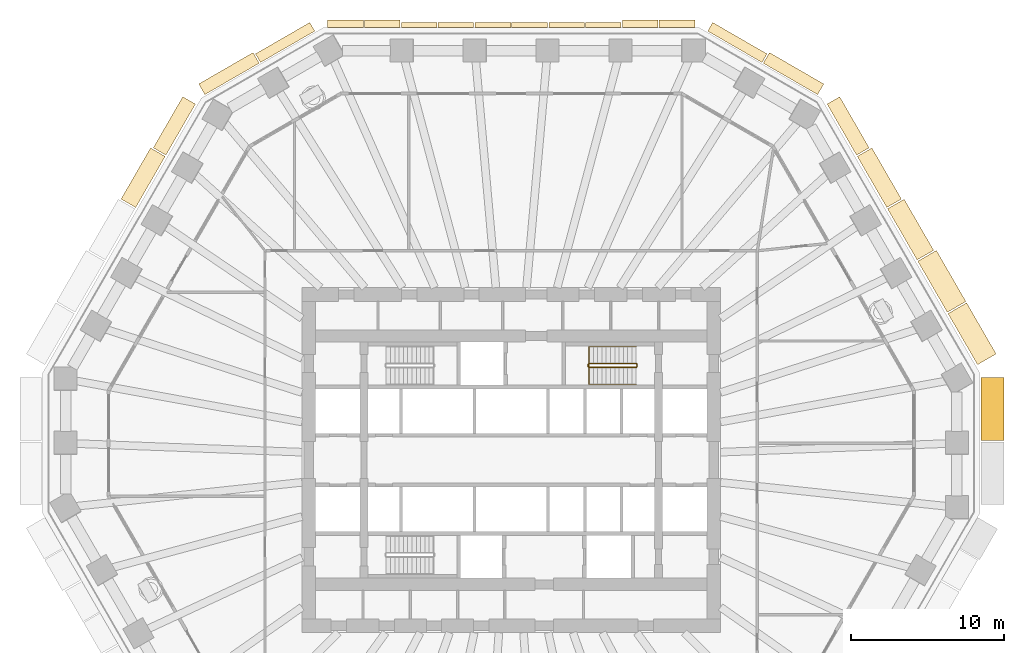
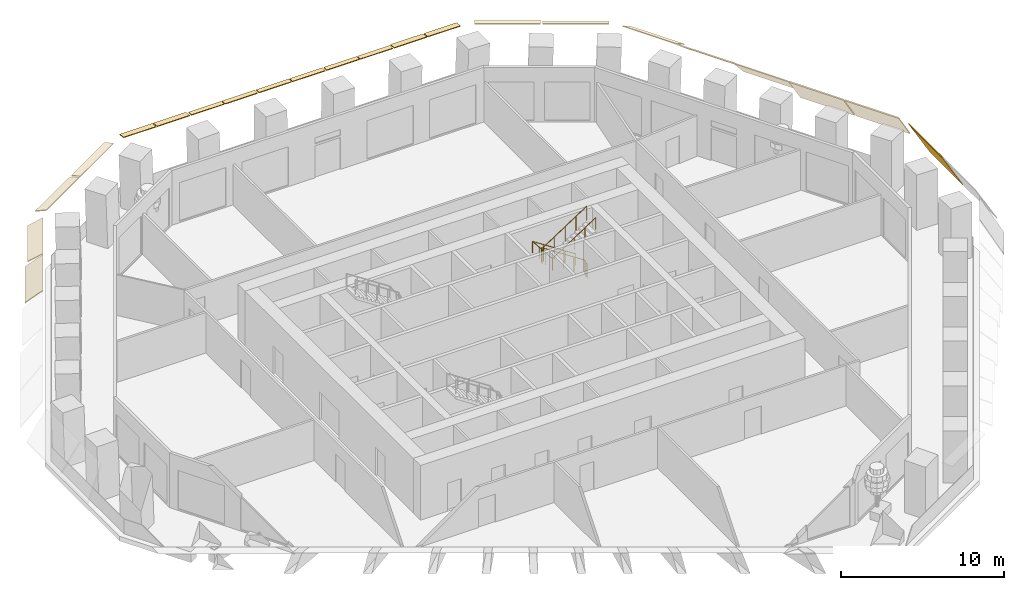
# One storey, part 10 of 12: 22 coverings, 2 railings.
"""IFC4 building model written with IfcOpenShell, lengths in metres."""

from ifc_helpers import new_model, si_unit, direction, frame, origin, origin_2d, place, context, subcontext, project, spatial, polyline, circle, outline, extrude, material, layer, layer_set, type_object, element, save


model = new_model("IFC4")

# Units and contexts
model_context = context("Model", 3, precision=1e-05, world=origin(), true_north=direction((0.0, 1.0)))
body_context = subcontext(model_context, "Body", "Model", "MODEL_VIEW")
ifc_project = project(units=[si_unit("LENGTHUNIT", "METRE"), si_unit("AREAUNIT", "SQUARE_METRE"), si_unit("VOLUMEUNIT", "CUBIC_METRE"), si_unit("PLANEANGLEUNIT", "RADIAN"), si_unit("MASSUNIT", "GRAM", prefix="KILO")], contexts=[model_context])

# Site, building, storey
site_placement = place(None, origin())
site = spatial("IfcSite", under=ifc_project, at=site_placement, CompositionType="ELEMENT")
building_placement = place(site_placement, origin())
building = spatial("IfcBuilding", under=site, at=building_placement, Name="Frailejon Research Tower", CompositionType="ELEMENT")
storey_placement = place(building_placement, frame((0.0, 0.0, 49.800048828125)))
storey = spatial("IfcBuildingStorey", under=building, at=storey_placement, Name="L11", CompositionType="ELEMENT", Elevation=49.800048828125)

# Coverings
ifc_material_1 = material(Name="Precast concrete C50/60", Category="concrete")
ifc_layer_1 = layer(ifc_material_1, 0.06005859375)
ifc_layer_set_1 = layer_set([ifc_layer_1], Name="Brim blade depth 1100")
covering_type_1 = type_object("IfcCoveringType", Name="Brim blade depth 1100", PredefinedType="CLADDING", material=ifc_layer_set_1)
for number, where, z_axis, x_axis, name in (
    (1, (22.566162109375, 19.802978515625, 4.25), (0.500002613071, -0.866023895122, 0.0), (0.866023895122, 0.500002613071, 0.0), "Brim blade L11"),
    (2, (-24.488525390625, 16.4736328125, 4.25), (0.500002613071, 0.866023895122, 0.0), (-0.866023895122, 0.500002613071, 0.0), "Brim blade L11"),
):
    element("IfcCovering", number, at=place(storey_placement, frame(where, z_axis=z_axis, x_axis=x_axis)), inside=storey, type_object=covering_type_1, Name=name, PredefinedType="CLADDING", context=body_context, shape_type="SweptSolid", body=[
        extrude(outline(polyline([(0.0, -0.078369140625), (1.10009765625, -1.001220703125), (1.10009765625, -0.923095703125), (0.0, 0.0), (0.0, -0.078369140625)])), origin(), (0.0, 0.0, 1.0), 3.844482421875),
    ])
ifc_material_2 = material(Name="Precast concrete C50/60", Category="concrete")
ifc_layer_2 = layer(ifc_material_2, 0.06005859375)
ifc_layer_set_2 = layer_set([ifc_layer_2], Name="Brim blade depth 1250")
covering_type_2 = type_object("IfcCoveringType", Name="Brim blade depth 1250", PredefinedType="CLADDING", material=ifc_layer_set_2)
covering_1_placement = place(storey_placement, frame((24.53857421875, 16.386962890625, 4.25), z_axis=(0.500002613071, -0.866023895122, 0.0), x_axis=(0.866023895122, 0.500002613071, 0.0)))
element("IfcCovering", 3, at=covering_1_placement, inside=storey, type_object=covering_type_2, Name="Brim blade L11", PredefinedType="CLADDING", context=body_context, shape_type="SweptSolid", body=[
    extrude(outline(polyline([(0.0, -0.0888671875), (1.25, -1.452880859375), (1.25, -1.364013671875), (0.0, 0.0), (0.0, -0.0888671875)])), origin(), (0.0, 0.0, 1.0), 3.844482421875),
])
ifc_material_3 = material(Name="Precast concrete C50/60", Category="concrete")
ifc_layer_3 = layer(ifc_material_3, 0.06005859375)
ifc_layer_set_3 = layer_set([ifc_layer_3], Name="Brim blade depth 1400")
covering_type_3 = type_object("IfcCoveringType", Name="Brim blade depth 1400", PredefinedType="CLADDING", material=ifc_layer_set_3)
for number, where, z_axis, x_axis, name in (
    (4, (28.48291015625, 9.5546875, 4.25), (0.500002613071, -0.866023895122, 0.0), (0.866023895122, 0.500002613071, 0.0), "Brim blade L11"),
    (5, (26.510986328125, 12.970947265625, 4.25), (0.499983600053, -0.866034872091, 0.0), (0.866034872091, 0.499983600053, 0.0), "Brim blade L11"),
):
    element("IfcCovering", number, at=place(storey_placement, frame(where, z_axis=z_axis, x_axis=x_axis)), inside=storey, type_object=covering_type_3, Name=name, PredefinedType="CLADDING", context=body_context, shape_type="SweptSolid", body=[
        extrude(outline(polyline([(0.0, -0.1044921875), (1.39990234375, -2.10400390625), (1.39990234375, -1.99951171875), (0.0, 0.0), (0.0, -0.1044921875)])), origin(), (0.0, 0.0, 1.0), 3.844482421875),
    ])
ifc_material_4 = material(Name="Precast concrete C50/60", Category="concrete")
ifc_layer_4 = layer(ifc_material_4, 0.06005859375)
ifc_layer_set_4 = layer_set([ifc_layer_4], Name="Brim blade depth 1500")
covering_type_4 = type_object("IfcCoveringType", Name="Brim blade depth 1500", PredefinedType="CLADDING", material=ifc_layer_set_4)
covering_2_placement = place(storey_placement, frame((30.63134765625, 5.382080078125, 4.25), z_axis=(0.0, -1.0, 0.0), x_axis=(1.0, 0.0, 0.0)))
element("IfcCovering", 6, at=covering_2_placement, inside=storey, type_object=covering_type_4, Name="Brim blade L11", PredefinedType="CLADDING", context=body_context, shape_type="SweptSolid", body=[
    extrude(outline(polyline([(0.0, -0.1201171875), (1.5, -2.718017578125), (1.5, -2.59814453125), (0.0, 0.0), (0.0, -0.1201171875)])), origin(), (0.0, 0.0, 1.0), 4.08740234375),
])
ifc_material_5 = material(Name="Precast concrete C50/60", Category="concrete")
ifc_layer_5 = layer(ifc_material_5, 0.06005859375)
ifc_layer_set_5 = layer_set([ifc_layer_5], Name="Brim blade depth 350")
covering_type_5 = type_object("IfcCoveringType", Name="Brim blade depth 350", PredefinedType="CLADDING", material=ifc_layer_set_5)
for number, where, z_axis, x_axis, name in (
    (7, (4.8369140625, 28.199951171875, 4.25), (1.0, 0.0, 0.0), (0.0, 1.0, 0.0), "Brim blade L11"),
    (8, (2.453369140625, 28.199951171875, 4.25), (1.0, 0.0, 0.0), (0.0, 1.0, 0.0), "Brim blade L11"),
    (9, (0.030029296875, 28.199951171875, 4.25), (1.0, 0.0, 0.0), (0.0, 1.0, 0.0), "Brim blade L11"),
    (10, (-2.353515625, 28.199951171875, 4.25), (1.0, 0.0, 0.0), (0.0, 1.0, 0.0), "Brim blade L11"),
    (11, (-4.776611328125, 28.199951171875, 4.25), (1.0, 0.0, 0.0), (0.0, 1.0, 0.0), "Brim blade L11"),
    (12, (-7.16015625, 28.199951171875, 4.25), (1.0, 0.0, 0.0), (0.0, 1.0, 0.0), "Brim blade L11"),
):
    element("IfcCovering", number, at=place(storey_placement, frame(where, z_axis=z_axis, x_axis=x_axis)), inside=storey, type_object=covering_type_5, Name=name, PredefinedType="CLADDING", context=body_context, shape_type="SweptSolid", body=[
        extrude(outline(polyline([(0.0, -0.06005859375), (0.35009765625, -0.06005859375), (0.35009765625, 0.0), (0.0, 0.0), (0.0, -0.06005859375)])), origin(), (0.0, 0.0, 1.0), 2.323486328125),
    ])
ifc_material_6 = material(Name="Precast concrete C50/60", Category="concrete")
ifc_layer_6 = layer(ifc_material_6, 0.06005859375)
ifc_layer_set_6 = layer_set([ifc_layer_6], Name="Brim blade depth 500")
covering_type_6 = type_object("IfcCoveringType", Name="Brim blade depth 500", PredefinedType="CLADDING", material=ifc_layer_set_6)
for number, where, z_axis, x_axis, name in (
    (13, (9.6435546875, 28.199951171875, 4.25), (1.0, 0.0, 0.0), (0.0, 1.0, 0.0), "Brim blade L11"),
    (14, (7.260009765625, 28.199951171875, 4.25), (1.0, 0.0, 0.0), (0.0, 1.0, 0.0), "Brim blade L11"),
    (15, (-9.58349609375, 28.199951171875, 4.25), (1.0, 0.0, 0.0), (0.0, 1.0, 0.0), "Brim blade L11"),
    (16, (-11.966796875, 28.199951171875, 4.25), (1.0, 0.0, 0.0), (0.0, 1.0, 0.0), "Brim blade L11"),
):
    element("IfcCovering", number, at=place(storey_placement, frame(where, z_axis=z_axis, x_axis=x_axis)), inside=storey, type_object=covering_type_6, Name=name, PredefinedType="CLADDING", context=body_context, shape_type="SweptSolid", body=[
        extrude(outline(polyline([(0.0, -0.060546875), (0.5, -0.130859375), (0.5, -0.0703125), (0.0, 0.0), (0.0, -0.060546875)])), origin(), (0.0, 0.0, 1.0), 2.323486328125),
    ])
ifc_material_7 = material(Name="Precast concrete C50/60", Category="concrete")
ifc_layer_7 = layer(ifc_material_7, 0.06005859375)
ifc_layer_set_7 = layer_set([ifc_layer_7], Name="Brim blade depth 650")
covering_type_7 = type_object("IfcCoveringType", Name="Brim blade depth 650", PredefinedType="CLADDING", material=ifc_layer_set_7)
for number, where, z_axis, x_axis, name in (
    (17, (12.810302734375, 27.97412109375, 4.25), (0.866021344981, -0.500007029989, 0.0), (0.500007029989, 0.866021344981, 0.0), "Brim blade L11"),
    (18, (-16.35009765625, 25.93017578125, 4.25), (0.866021344981, 0.500007029989, 0.0), (-0.500007029989, 0.866021344981, 0.0), "Brim blade L11"),
):
    element("IfcCovering", number, at=place(storey_placement, frame(where, z_axis=z_axis, x_axis=x_axis)), inside=storey, type_object=covering_type_7, Name=name, PredefinedType="CLADDING", context=body_context, shape_type="SweptSolid", body=[
        extrude(outline(polyline([(0.0, -0.0625), (0.64990234375, -0.248779296875), (0.64990234375, -0.186279296875), (0.0, 0.0), (0.0, -0.0625)])), origin(), (0.0, 0.0, 1.0), 4.08740234375),
    ])
ifc_material_8 = material(Name="Precast concrete C50/60", Category="concrete")
ifc_layer_8 = layer(ifc_material_8, 0.06005859375)
ifc_layer_set_8 = layer_set([ifc_layer_8], Name="Brim blade depth 800")
covering_type_8 = type_object("IfcCoveringType", Name="Brim blade depth 800", PredefinedType="CLADDING", material=ifc_layer_set_8)
for number, where, z_axis, x_axis, name in (
    (19, (16.436767578125, 25.880126953125, 4.25), (0.866021344981, -0.500007029989, 0.0), (0.500007029989, 0.866021344981, 0.0), "Brim blade L11"),
    (20, (-19.9765625, 23.83642578125, 4.25), (0.866021344981, 0.500007029989, 0.0), (-0.500007029989, 0.866021344981, 0.0), "Brim blade L11"),
):
    element("IfcCovering", number, at=place(storey_placement, frame(where, z_axis=z_axis, x_axis=x_axis)), inside=storey, type_object=covering_type_8, Name=name, PredefinedType="CLADDING", context=body_context, shape_type="SweptSolid", body=[
        extrude(outline(polyline([(0.0, -0.065673828125), (0.800048828125, -0.421875), (0.800048828125, -0.356201171875), (0.0, 0.0), (0.0, -0.065673828125)])), origin(), (0.0, 0.0, 1.0), 4.08740234375),
    ])
ifc_material_9 = material(Name="Precast concrete C50/60", Category="concrete")
ifc_layer_9 = layer(ifc_material_9, 0.06005859375)
ifc_layer_set_9 = layer_set([ifc_layer_9], Name="Brim blade depth 950")
covering_type_9 = type_object("IfcCoveringType", Name="Brim blade depth 950", PredefinedType="CLADDING", material=ifc_layer_set_9)
for number, where, z_axis, x_axis, name in (
    (21, (20.593994140625, 23.218994140625, 4.25), (0.500013590946, -0.866017556906, 0.0), (0.866017556906, 0.500013590946, 0.0), "Brim blade L11"),
    (22, (-22.51611328125, 19.8896484375, 4.25), (0.500013590946, 0.866017556906, 0.0), (-0.866017556906, 0.500013590946, 0.0), "Brim blade L11"),
):
    element("IfcCovering", number, at=place(storey_placement, frame(where, z_axis=z_axis, x_axis=x_axis)), inside=storey, type_object=covering_type_9, Name=name, PredefinedType="CLADDING", context=body_context, shape_type="SweptSolid", body=[
        extrude(outline(polyline([(0.0, -0.07080078125), (0.949951171875, -0.664306640625), (0.949951171875, -0.593505859375), (0.0, 0.0), (0.0, -0.07080078125)])), origin(), (0.0, 0.0, 1.0), 3.844482421875),
    ])

# Railings
ifc_material_10 = material(Name="Stainless steel", Category="steel")
railing_type_1 = type_object("IfcRailingType", Name="Stair guard 1100", PredefinedType="GUARDRAIL", material=ifc_material_10)
railing_1_placement = place(storey_placement, frame((8.199951171875, 6.10009765625, 0.0)))
element("IfcRailing", 23, at=railing_1_placement, inside=storey, type_object=railing_type_1, Name="L11 ST3 stair guard 1", PredefinedType="GUARDRAIL", context=body_context, shape_type="SweptSolid", body=[
    extrude(circle(Radius=0.02392578125, at=origin_2d()), frame((0.0, 0.0, 1.076171875), z_axis=(0.0, 1.0, 0.0), x_axis=(-1.0, 0.0, 0.0)), (0.0, 0.0, 1.0), 0.14990234375),
    extrude(circle(Radius=0.02392578125, at=origin_2d()), frame((0.0, 0.14990234375, 1.076171875), z_axis=(-0.254653276557, 0.254653276557, 0.932900539971), x_axis=(-0.707106781187, -0.707106781187, 0.0)), (0.0, 0.0, 1.0), 0.196533203125),
    extrude(circle(Radius=0.02392578125, at=origin_2d()), frame((-0.050048828125, 0.199951171875, 1.25927734375), z_axis=(-0.836613101238, 0.0, 0.547794230379), x_axis=(0.0, -1.0, 0.0)), (0.0, 0.0, 1.0), 3.681396484375),
    extrude(circle(Radius=0.02392578125, at=origin_2d()), frame((-3.1298828125, 0.199951171875, 3.27587890625), z_axis=(-0.707106781187, -0.707106781187, 0.0), x_axis=(0.707106781187, -0.707106781187, 0.0)), (0.0, 0.0, 1.0), 0.07080078125),
    extrude(circle(Radius=0.02392578125, at=origin_2d()), frame((-3.179931640625, 0.14990234375, 3.27587890625), z_axis=(0.0, -1.0, 0.0), x_axis=(1.0, 0.0, 0.0)), (0.0, 0.0, 1.0), 0.14990234375),
    extrude(circle(Radius=0.02392578125, at=origin_2d()), frame((-3.179931640625, 0.0, 3.27587890625), z_axis=(0.254653276557, -0.254653276557, 0.932900539971), x_axis=(0.707106781187, 0.707106781187, 0.0)), (0.0, 0.0, 1.0), 0.196533203125),
    extrude(circle(Radius=0.02392578125, at=origin_2d()), frame((-3.1298828125, -0.050048828125, 3.45947265625), z_axis=(0.836613101238, 0.0, 0.547794230379), x_axis=(0.0, 1.0, 0.0)), (0.0, 0.0, 1.0), 3.681396484375),
    extrude(circle(Radius=0.02099609375, at=origin_2d()), origin(), (0.0, 0.0, 1.0), 1.052001953125),
    extrude(circle(Radius=0.02099609375, at=origin_2d()), frame((0.0, 0.14990234375, 0.0)), (0.0, 0.0, 1.0), 1.052001953125),
    extrude(circle(Radius=0.02099609375, at=origin_2d()), frame((-0.050048828125, 0.199951171875, 0.183349609375)), (0.0, 0.0, 1.0), 1.052001953125),
    extrude(circle(Radius=0.02099609375, at=origin_2d()), frame((-0.820068359375, 0.199951171875, 0.6875)), (0.0, 0.0, 1.0), 1.052001953125),
    extrude(circle(Radius=0.02099609375, at=origin_2d()), frame((-1.58984375, 0.199951171875, 1.191650390625)), (0.0, 0.0, 1.0), 1.052001953125),
    extrude(circle(Radius=0.02099609375, at=origin_2d()), frame((-2.35986328125, 0.199951171875, 1.69580078125)), (0.0, 0.0, 1.0), 1.052001953125),
    extrude(circle(Radius=0.02099609375, at=origin_2d()), frame((-3.1298828125, 0.199951171875, 2.199951171875)), (0.0, 0.0, 1.0), 1.052001953125),
    extrude(circle(Radius=0.02099609375, at=origin_2d()), frame((-3.179931640625, 0.14990234375, 2.199951171875)), (0.0, 0.0, 1.0), 1.052001953125),
    extrude(circle(Radius=0.02099609375, at=origin_2d()), frame((-3.179931640625, 0.0, 2.199951171875)), (0.0, 0.0, 1.0), 1.052001953125),
    extrude(circle(Radius=0.02099609375, at=origin_2d()), frame((-3.1298828125, -0.050048828125, 2.38330078125)), (0.0, 0.0, 1.0), 1.052001953125),
    extrude(circle(Radius=0.02099609375, at=origin_2d()), frame((-2.35986328125, -0.050048828125, 2.887451171875)), (0.0, 0.0, 1.0), 1.052001953125),
    extrude(circle(Radius=0.02099609375, at=origin_2d()), frame((-1.58984375, -0.050048828125, 3.3916015625)), (0.0, 0.0, 1.0), 1.052001953125),
    extrude(circle(Radius=0.02099609375, at=origin_2d()), frame((-0.820068359375, -0.050048828125, 3.895751953125)), (0.0, 0.0, 1.0), 1.052001953125),
    extrude(circle(Radius=0.02099609375, at=origin_2d()), frame((-0.050048828125, -0.050048828125, 4.39990234375)), (0.0, 0.0, 1.0), 1.052001953125),
])
ifc_material_11 = material(Name="Stainless steel", Category="steel")
railing_type_2 = type_object("IfcRailingType", Name="Stair handrail 900", PredefinedType="HANDRAIL", material=ifc_material_11)
railing_2_placement = place(storey_placement, frame((8.14990234375, 7.39990234375, 0.183349609375)))
element("IfcRailing", 24, at=railing_2_placement, inside=storey, type_object=railing_type_2, Name="L11 ST3 stair handrail 1", PredefinedType="HANDRAIL", context=body_context, shape_type="SweptSolid", body=[
    extrude(circle(Radius=0.02392578125, at=origin_2d()), frame((0.0, 0.0, 0.8759765625), z_axis=(-0.836613101238, 0.0, 0.547794230379), x_axis=(0.0, -1.0, 0.0)), (0.0, 0.0, 1.0), 3.681396484375),
    extrude(circle(Radius=0.02392578125, at=origin_2d()), frame((-3.079833984375, 0.0, 2.892578125), z_axis=(0.0, -0.99721134034, 0.074629368868), x_axis=(1.0, 0.0, 0.0)), (0.0, 0.0, 1.0), 2.456787109375),
    extrude(circle(Radius=0.02392578125, at=origin_2d()), frame((-3.079833984375, -2.449951171875, 3.07568359375), z_axis=(0.836613101238, 0.0, 0.547794230379), x_axis=(0.0, 1.0, 0.0)), (0.0, 0.0, 1.0), 3.681396484375),
    extrude(circle(Radius=0.02099609375, at=origin_2d()), origin(), (0.0, 0.0, 1.0), 0.851806640625),
    extrude(circle(Radius=0.02099609375, at=origin_2d()), frame((-0.77001953125, 0.0, 0.504150390625)), (0.0, 0.0, 1.0), 0.851806640625),
    extrude(circle(Radius=0.02099609375, at=origin_2d()), frame((-1.5400390625, 0.0, 1.00830078125)), (0.0, 0.0, 1.0), 0.851806640625),
    extrude(circle(Radius=0.02099609375, at=origin_2d()), frame((-2.309814453125, 0.0, 1.512451171875)), (0.0, 0.0, 1.0), 0.851806640625),
    extrude(circle(Radius=0.02099609375, at=origin_2d()), frame((-3.079833984375, 0.0, 2.0166015625)), (0.0, 0.0, 1.0), 0.851806640625),
    extrude(circle(Radius=0.02099609375, at=origin_2d()), frame((-3.079833984375, -0.816650390625, 2.07763671875)), (0.0, 0.0, 1.0), 0.851806640625),
    extrude(circle(Radius=0.02099609375, at=origin_2d()), frame((-3.079833984375, -1.63330078125, 2.138916015625)), (0.0, 0.0, 1.0), 0.851806640625),
    extrude(circle(Radius=0.02099609375, at=origin_2d()), frame((-3.079833984375, -2.449951171875, 2.199951171875)), (0.0, 0.0, 1.0), 0.851806640625),
    extrude(circle(Radius=0.02099609375, at=origin_2d()), frame((-2.309814453125, -2.449951171875, 2.7041015625)), (0.0, 0.0, 1.0), 0.851806640625),
    extrude(circle(Radius=0.02099609375, at=origin_2d()), frame((-1.5400390625, -2.449951171875, 3.208251953125)), (0.0, 0.0, 1.0), 0.851806640625),
    extrude(circle(Radius=0.02099609375, at=origin_2d()), frame((-0.77001953125, -2.449951171875, 3.71240234375)), (0.0, 0.0, 1.0), 0.851806640625),
    extrude(circle(Radius=0.02099609375, at=origin_2d()), frame((0.0, -2.449951171875, 4.216552734375)), (0.0, 0.0, 1.0), 0.851806640625),
])

save(model, "model.ifc")
